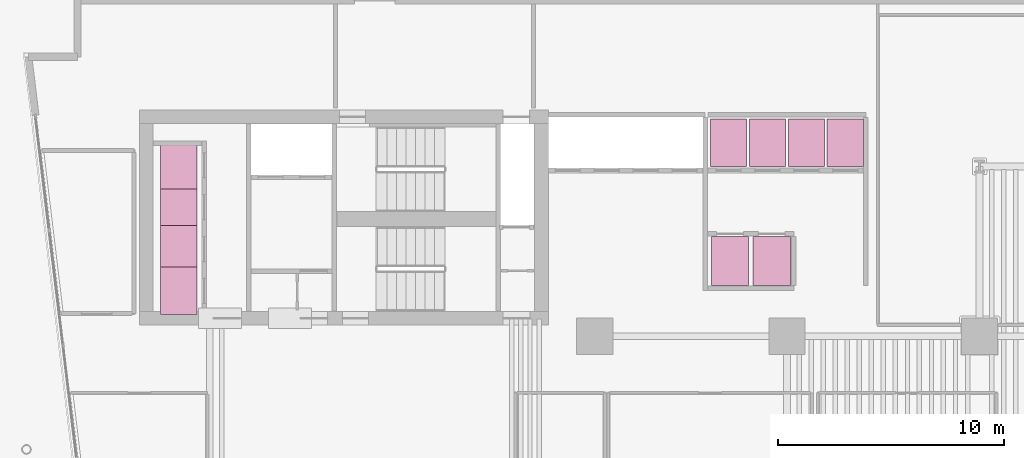
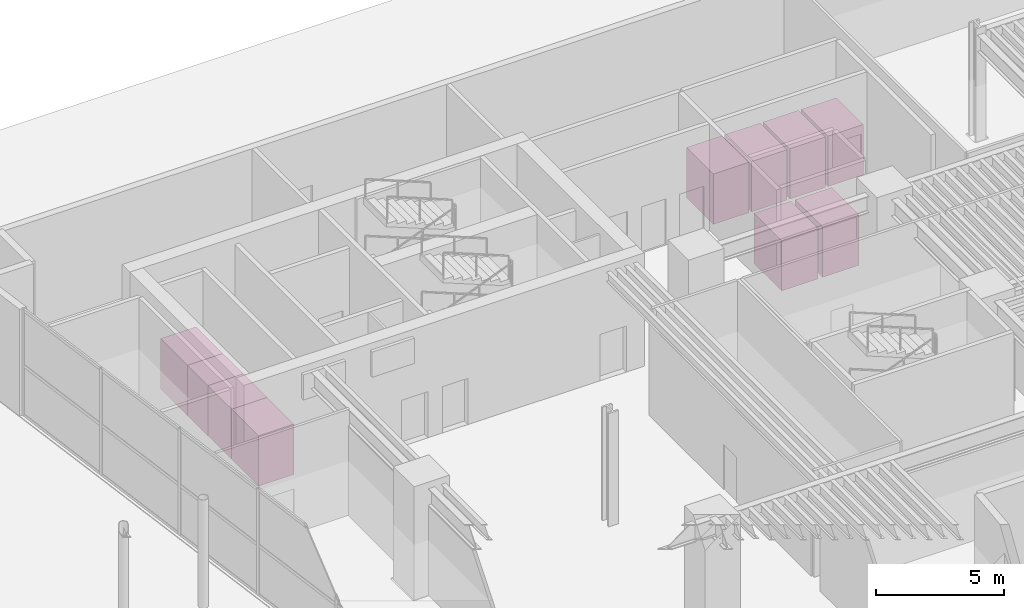
# One storey, part 18 of 18: 10 transport elements.
"""IFC4 building model written with IfcOpenShell, lengths in metres."""

from ifc_helpers import new_model, si_unit, direction, frame, origin, origin_2d, place, context, subcontext, project, spatial, rectangle, extrude, material, type_object, element, save


model = new_model("IFC4")

# Units and contexts
model_context = context("Model", 3, precision=1e-05, world=origin(), true_north=direction((0.0, 1.0)))
body_context = subcontext(model_context, "Body", "Model", "MODEL_VIEW")
ifc_project = project(units=[si_unit("LENGTHUNIT", "METRE"), si_unit("AREAUNIT", "SQUARE_METRE"), si_unit("VOLUMEUNIT", "CUBIC_METRE"), si_unit("PLANEANGLEUNIT", "RADIAN"), si_unit("MASSUNIT", "GRAM", prefix="KILO")], contexts=[model_context])

# Site, building, storey
site_placement = place(None, origin())
site = spatial("IfcSite", under=ifc_project, at=site_placement, CompositionType="ELEMENT")
building_placement = place(site_placement, origin())
building = spatial("IfcBuilding", under=site, at=building_placement, Name="Caeloran Harvest Quay", CompositionType="ELEMENT")
storey_placement = place(building_placement, origin())
storey = spatial("IfcBuildingStorey", under=building, at=storey_placement, Name="L01", CompositionType="ELEMENT", Elevation=0.0)

# Transport elements
ifc_material = material(Name="Brushed Stainless Steel Grade 316", Category="steel")
transport_element_type_1 = type_object("IfcTransportElementType", Name="LIFT-PASS-1600", PredefinedType="ELEVATOR", material=ifc_material)
for number, where, z_axis, x_axis, name in (
    (1, (7.125, 33.0, 0.0), (0.0, 0.0, 1.0), (1.0, 0.0, 0.0), "Passenger Elevator Lift P3-1"),
    (2, (7.125, 34.85009765625, 0.0), (0.0, 0.0, 1.0), (1.0, 0.0, 0.0), "Passenger Elevator Lift P3-2"),
    (3, (7.125, 36.699951171875, 0.0), (0.0, 0.0, 1.0), (1.0, 0.0, 0.0), "Passenger Elevator Lift P3-3"),
    (4, (7.125, 38.550048828125, 0.0), (0.0, 0.0, 1.0), (1.0, 0.0, 0.0), "Passenger Elevator Lift P3-4"),
    (5, (31.409912109375, 39.550048828125, 0.0), (0.0, 0.0, 1.0), (1.0, 0.0, 0.0), "Passenger Elevator Lift P2-1"),
    (6, (33.1298828125, 39.550048828125, 0.0), (0.0, 0.0, 1.0), (1.0, 0.0, 0.0), "Passenger Elevator Lift P2-2"),
    (7, (34.85009765625, 39.550048828125, 0.0), (0.0, 0.0, 1.0), (1.0, 0.0, 0.0), "Passenger Elevator Lift P2-3"),
    (8, (36.570068359375, 39.550048828125, 0.0), (0.0, 0.0, 1.0), (1.0, 0.0, 0.0), "Passenger Elevator Lift P2-4"),
):
    element("IfcTransportElement", number, at=place(storey_placement, frame(where, z_axis=z_axis, x_axis=x_axis)), inside=storey, type_object=transport_element_type_1, Name=name, PredefinedType="ELEVATOR", context=body_context, shape_type="SweptSolid", body=[
        extrude(rectangle(XDim=1.60009765625, YDim=2.10009765625, at=origin_2d()), origin(), (0.0, 0.0, 1.0), 2.39990234375),
    ])
transport_element_type_2 = type_object("IfcTransportElementType", Name="LIFT-SHUTTLE-2000", PredefinedType="ELEVATOR", material=ifc_material)
for number, where, z_axis, x_axis, name in (
    (9, (31.47509765625, 34.324951171875, 0.0), (0.0, 0.0, 1.0), (1.0, 0.0, 0.0), "Express Passenger Elevator Lift SH-1"),
    (10, (33.324951171875, 34.324951171875, 0.0), (0.0, 0.0, 1.0), (1.0, 0.0, 0.0), "Express Passenger Elevator Lift SH-2"),
):
    element("IfcTransportElement", number, at=place(storey_placement, frame(where, z_axis=z_axis, x_axis=x_axis)), inside=storey, type_object=transport_element_type_2, Name=name, PredefinedType="ELEVATOR", context=body_context, shape_type="SweptSolid", body=[
        extrude(rectangle(XDim=1.64990234375, YDim=2.14990234375, at=origin_2d()), origin(), (0.0, 0.0, 1.0), 2.39990234375),
    ])

save(model, "model.ifc")
